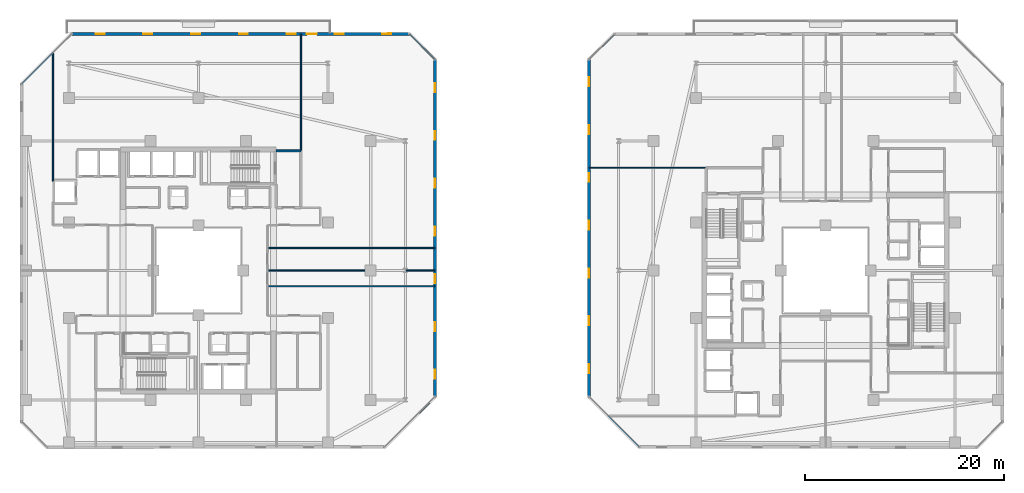
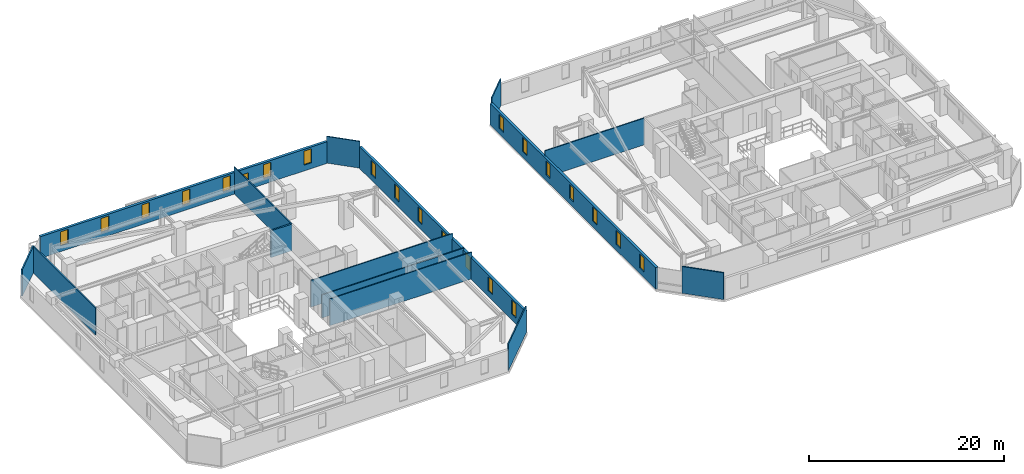
# One storey, part 22 of 33: 21 windows, 15 walls, 1 door, 22 openings.
"""IFC4 building model written with IfcOpenShell, lengths in metres."""

from ifc_helpers import new_model, si_unit, direction, frame, frame_2d, origin, place, context, subcontext, project, spatial, rectangle, extrude, material, layer, layer_set, type_object, element, fill, save


model = new_model("IFC4")

# Units and contexts
model_context = context("Model", 3, precision=1e-05, world=origin(), true_north=direction((0.0, 1.0)))
body_context = subcontext(model_context, "Body", "Model", "MODEL_VIEW")
ifc_project = project(units=[si_unit("LENGTHUNIT", "METRE"), si_unit("AREAUNIT", "SQUARE_METRE"), si_unit("VOLUMEUNIT", "CUBIC_METRE"), si_unit("PLANEANGLEUNIT", "RADIAN"), si_unit("MASSUNIT", "GRAM", prefix="KILO")], contexts=[model_context])

# Site, building, storey
site_placement = place(None, origin())
site = spatial("IfcSite", under=ifc_project, at=site_placement, CompositionType="ELEMENT")
building_placement = place(site_placement, origin())
building = spatial("IfcBuilding", under=site, at=building_placement, Name="Thornwick Lancets Civic Towers", CompositionType="ELEMENT")
storey_placement = place(building_placement, frame((0.0, 0.0, 189.300048828125)))
storey = spatial("IfcBuildingStorey", under=building, at=storey_placement, Name="L50", CompositionType="ELEMENT", Elevation=189.300048828125)

# Wall
ifc_material_1 = material(Name="Concrete blockwork C40/50", Category="masonry")
ifc_layer_1 = layer(ifc_material_1, 0.199951171875, Name="Concrete blockwork C40/50")
ifc_layer_set_1 = layer_set([ifc_layer_1], Name="Concrete blockwork C40/50")
wall_type_1 = type_object("IfcWallType", Name="WALL_COMP_200", PredefinedType="STANDARD", material=ifc_layer_set_1)
wall_1_placement = place(storey_placement, frame((35.800048828125, 39.0, 0.0), z_axis=(0.0, 0.0, 1.0), x_axis=(-1.0, 0.0, 0.0)))
element("IfcWall", 1, at=wall_1_placement, inside=storey, type_object=wall_type_1, Name="L50 Partition L50-A-FFLOB2 E3", PredefinedType="STANDARD", context=body_context, shape_type="SweptSolid", body=[
    extrude(rectangle(XDim=2.5, YDim=0.199951171875, at=frame_2d((1.25, 0.0))), origin(), (0.0, 0.0, 1.0), 3.33984375),
])

# Wall, openings, windows
ifc_material_2 = material(Name="Insulated russet terracotta rainscreen on concrete C40/50", Category="masonry")
ifc_layer_2 = layer(ifc_material_2, 0.300048828125, Name="Insulated russet terracotta rainscreen on concrete C40/50")
ifc_layer_set_2 = layer_set([ifc_layer_2], Name="Insulated russet terracotta rainscreen on concrete C40/50")
wall_type_2 = type_object("IfcWallType", Name="WALL_EXT_RUSSET_300", PredefinedType="STANDARD", material=ifc_layer_set_2)
wall_2_placement = place(storey_placement, frame((49.25634765625, 14.300537109375, 0.0), z_axis=(0.0, 0.0, 1.0), x_axis=(0.000244999128, 0.999999969988, 0.0)))
wall_2 = element("IfcWall", 2, at=wall_2_placement, inside=storey, type_object=wall_type_2, Name="L50 Tower A Terracotta Facade Wall E2", PredefinedType="STANDARD", context=body_context, shape_type="SweptSolid", body=[
    extrude(rectangle(XDim=33.880859375, YDim=0.300048828125, at=frame_2d((16.9404296875, 0.0))), origin(), (0.0, 0.0, 1.0), 2.699951171875),
])
opening_1_placement = place(wall_2_placement, frame((1.800048828125, 0.0, 0.719970703125)))
opening_1 = element("IfcOpeningElement", 3, at=opening_1_placement, cuts=wall_2, Name="Opening WL-01", PredefinedType="OPENING", context=body_context, shape_type="SweptSolid", body=[
    extrude(rectangle(XDim=0.89990234375, YDim=1.75, at=frame_2d((0.449951171875, 0.875))), frame((0.0, 0.16015625, 0.0), z_axis=(0.0, -1.0, 0.0), x_axis=(1.0, 0.0, 0.0)), (0.0, 0.0, 1.0), 0.320068359375),
])
opening_2_placement = place(wall_2_placement, frame((6.60009765625, 0.0, 0.719970703125)))
opening_2 = element("IfcOpeningElement", 4, at=opening_2_placement, cuts=wall_2, Name="Opening WL-01", PredefinedType="OPENING", context=body_context, shape_type="SweptSolid", body=[
    extrude(rectangle(XDim=0.89990234375, YDim=1.75, at=frame_2d((0.449951171875, 0.875))), frame((0.0, 0.16015625, 0.0), z_axis=(0.0, -1.0, 0.0), x_axis=(1.0, 0.0, 0.0)), (0.0, 0.0, 1.0), 0.320068359375),
])
opening_3_placement = place(wall_2_placement, frame((11.39990234375, 0.0, 0.719970703125)))
opening_3 = element("IfcOpeningElement", 5, at=opening_3_placement, cuts=wall_2, Name="Opening WL-01", PredefinedType="OPENING", context=body_context, shape_type="SweptSolid", body=[
    extrude(rectangle(XDim=0.89990234375, YDim=1.75, at=frame_2d((0.449951171875, 0.875))), frame((0.0, 0.16015625, 0.0), z_axis=(0.0, -1.0, 0.0), x_axis=(1.0, 0.0, 0.0)), (0.0, 0.0, 1.0), 0.320068359375),
])
opening_4_placement = place(wall_2_placement, frame((16.199951171875, 0.0, 0.719970703125)))
opening_4 = element("IfcOpeningElement", 6, at=opening_4_placement, cuts=wall_2, Name="Opening WL-01", PredefinedType="OPENING", context=body_context, shape_type="SweptSolid", body=[
    extrude(rectangle(XDim=0.89990234375, YDim=1.75, at=frame_2d((0.449951171875, 0.875))), frame((0.0, 0.16015625, 0.0), z_axis=(0.0, -1.0, 0.0), x_axis=(1.0, 0.0, 0.0)), (0.0, 0.0, 1.0), 0.320068359375),
])
opening_5_placement = place(wall_2_placement, frame((21.0, 0.0, 0.719970703125)))
opening_5 = element("IfcOpeningElement", 7, at=opening_5_placement, cuts=wall_2, Name="Opening WL-01", PredefinedType="OPENING", context=body_context, shape_type="SweptSolid", body=[
    extrude(rectangle(XDim=0.89990234375, YDim=1.75, at=frame_2d((0.449951171875, 0.875))), frame((0.0, 0.16015625, 0.0), z_axis=(0.0, -1.0, 0.0), x_axis=(1.0, 0.0, 0.0)), (0.0, 0.0, 1.0), 0.320068359375),
])
opening_6_placement = place(wall_2_placement, frame((25.800048828125, 0.0, 0.719970703125)))
opening_6 = element("IfcOpeningElement", 8, at=opening_6_placement, cuts=wall_2, Name="Opening WL-01", PredefinedType="OPENING", context=body_context, shape_type="SweptSolid", body=[
    extrude(rectangle(XDim=0.89990234375, YDim=1.75, at=frame_2d((0.449951171875, 0.875))), frame((0.0, 0.16015625, 0.0), z_axis=(0.0, -1.0, 0.0), x_axis=(1.0, 0.0, 0.0)), (0.0, 0.0, 1.0), 0.320068359375),
])
opening_7_placement = place(wall_2_placement, frame((30.60009765625, 0.0, 0.719970703125)))
opening_7 = element("IfcOpeningElement", 9, at=opening_7_placement, cuts=wall_2, Name="Opening WL-01", PredefinedType="OPENING", context=body_context, shape_type="SweptSolid", body=[
    extrude(rectangle(XDim=0.89990234375, YDim=1.75, at=frame_2d((0.449951171875, 0.875))), frame((0.0, 0.16015625, 0.0), z_axis=(0.0, -1.0, 0.0), x_axis=(1.0, 0.0, 0.0)), (0.0, 0.0, 1.0), 0.320068359375),
])
ifc_material_3 = material(Name="Clear low-e double glazing in bronze frame", Category="glass")
window_type = type_object("IfcWindowType", Name="WIN_LANCET_900", PartitioningType="SINGLE_PANEL", PredefinedType="WINDOW", material=ifc_material_3)
window_1_placement = place(opening_1_placement, origin())
window_1 = element("IfcWindow", 10, at=window_1_placement, inside=storey, type_object=window_type, Name="L50 Tower A Staggered Lancet Window E2-1", OverallHeight=1.75, OverallWidth=0.89990234375, PartitioningType="SINGLE_PANEL", PredefinedType="WINDOW", context=body_context, shape_type="SweptSolid", body=[
    extrude(rectangle(XDim=0.89990234375, YDim=1.75, at=frame_2d((0.449951171875, 0.875))), frame((0.0, 0.030029296875, 0.0), z_axis=(0.0, -1.0, 0.0), x_axis=(1.0, 0.0, 0.0)), (0.0, 0.0, 1.0), 0.06005859375),
])
fill(opening_1, window_1)
window_2_placement = place(opening_2_placement, origin())
window_2 = element("IfcWindow", 11, at=window_2_placement, inside=storey, type_object=window_type, Name="L50 Tower A Staggered Lancet Window E2-2", OverallHeight=1.75, OverallWidth=0.89990234375, PartitioningType="SINGLE_PANEL", PredefinedType="WINDOW", context=body_context, shape_type="SweptSolid", body=[
    extrude(rectangle(XDim=0.89990234375, YDim=1.75, at=frame_2d((0.449951171875, 0.875))), frame((0.0, 0.030029296875, 0.0), z_axis=(0.0, -1.0, 0.0), x_axis=(1.0, 0.0, 0.0)), (0.0, 0.0, 1.0), 0.06005859375),
])
fill(opening_2, window_2)
window_3_placement = place(opening_3_placement, origin())
window_3 = element("IfcWindow", 12, at=window_3_placement, inside=storey, type_object=window_type, Name="L50 Tower A Staggered Lancet Window E2-3", OverallHeight=1.75, OverallWidth=0.89990234375, PartitioningType="SINGLE_PANEL", PredefinedType="WINDOW", context=body_context, shape_type="SweptSolid", body=[
    extrude(rectangle(XDim=0.89990234375, YDim=1.75, at=frame_2d((0.449951171875, 0.875))), frame((0.0, 0.030029296875, 0.0), z_axis=(0.0, -1.0, 0.0), x_axis=(1.0, 0.0, 0.0)), (0.0, 0.0, 1.0), 0.06005859375),
])
fill(opening_3, window_3)
window_4_placement = place(opening_4_placement, origin())
window_4 = element("IfcWindow", 13, at=window_4_placement, inside=storey, type_object=window_type, Name="L50 Tower A Staggered Lancet Window E2-4", OverallHeight=1.75, OverallWidth=0.89990234375, PartitioningType="SINGLE_PANEL", PredefinedType="WINDOW", context=body_context, shape_type="SweptSolid", body=[
    extrude(rectangle(XDim=0.89990234375, YDim=1.75, at=frame_2d((0.449951171875, 0.875))), frame((0.0, 0.030029296875, 0.0), z_axis=(0.0, -1.0, 0.0), x_axis=(1.0, 0.0, 0.0)), (0.0, 0.0, 1.0), 0.06005859375),
])
fill(opening_4, window_4)
window_5_placement = place(opening_5_placement, origin())
window_5 = element("IfcWindow", 14, at=window_5_placement, inside=storey, type_object=window_type, Name="L50 Tower A Staggered Lancet Window E2-5", OverallHeight=1.75, OverallWidth=0.89990234375, PartitioningType="SINGLE_PANEL", PredefinedType="WINDOW", context=body_context, shape_type="SweptSolid", body=[
    extrude(rectangle(XDim=0.89990234375, YDim=1.75, at=frame_2d((0.449951171875, 0.875))), frame((0.0, 0.030029296875, 0.0), z_axis=(0.0, -1.0, 0.0), x_axis=(1.0, 0.0, 0.0)), (0.0, 0.0, 1.0), 0.06005859375),
])
fill(opening_5, window_5)
window_6_placement = place(opening_6_placement, origin())
window_6 = element("IfcWindow", 15, at=window_6_placement, inside=storey, type_object=window_type, Name="L50 Tower A Staggered Lancet Window E2-6", OverallHeight=1.75, OverallWidth=0.89990234375, PartitioningType="SINGLE_PANEL", PredefinedType="WINDOW", context=body_context, shape_type="SweptSolid", body=[
    extrude(rectangle(XDim=0.89990234375, YDim=1.75, at=frame_2d((0.449951171875, 0.875))), frame((0.0, 0.030029296875, 0.0), z_axis=(0.0, -1.0, 0.0), x_axis=(1.0, 0.0, 0.0)), (0.0, 0.0, 1.0), 0.06005859375),
])
fill(opening_6, window_6)
window_7_placement = place(opening_7_placement, origin())
window_7 = element("IfcWindow", 16, at=window_7_placement, inside=storey, type_object=window_type, Name="L50 Tower A Staggered Lancet Window E2-7", OverallHeight=1.75, OverallWidth=0.89990234375, PartitioningType="SINGLE_PANEL", PredefinedType="WINDOW", context=body_context, shape_type="SweptSolid", body=[
    extrude(rectangle(XDim=0.89990234375, YDim=1.75, at=frame_2d((0.449951171875, 0.875))), frame((0.0, 0.030029296875, 0.0), z_axis=(0.0, -1.0, 0.0), x_axis=(1.0, 0.0, 0.0)), (0.0, 0.0, 1.0), 0.06005859375),
])
fill(opening_7, window_7)

# Wall, openings, door, windows
wall_3_placement = place(storey_placement, frame((46.681396484375, 50.7646484375, 0.0), z_axis=(0.0, 0.0, 1.0), x_axis=(-0.999999969988, -0.000244999128, 0.0)))
wall_3 = element("IfcWall", 17, at=wall_3_placement, inside=storey, type_object=wall_type_2, Name="L50 Tower A Terracotta Facade Wall E4", PredefinedType="STANDARD", context=body_context, shape_type="SweptSolid", body=[
    extrude(rectangle(XDim=33.880859375, YDim=0.300048828125, at=frame_2d((16.9404296875, 0.0))), origin(), (0.0, 0.0, 1.0), 2.699951171875),
])
opening_8_placement = place(wall_3_placement, frame((9.290283203125, 0.0, 0.0)))
opening_8 = element("IfcOpeningElement", 18, at=opening_8_placement, cuts=wall_3, Name="Opening D-BL-L50-AN", PredefinedType="OPENING", context=body_context, shape_type="SweptSolid", body=[
    extrude(rectangle(XDim=1.0, YDim=2.080078125, at=frame_2d((0.5, 1.0400390625))), frame((0.0, 0.16015625, 0.0), z_axis=(0.0, -1.0, 0.0), x_axis=(1.0, 0.0, 0.0)), (0.0, 0.0, 1.0), 0.320068359375),
])
opening_9_placement = place(wall_3_placement, frame((1.800048828125, 0.0, 0.719970703125)))
opening_9 = element("IfcOpeningElement", 19, at=opening_9_placement, cuts=wall_3, Name="Opening WL-01", PredefinedType="OPENING", context=body_context, shape_type="SweptSolid", body=[
    extrude(rectangle(XDim=0.89990234375, YDim=1.75, at=frame_2d((0.449951171875, 0.875))), frame((0.0, 0.16015625, 0.0), z_axis=(0.0, -1.0, 0.0), x_axis=(1.0, 0.0, 0.0)), (0.0, 0.0, 1.0), 0.320068359375),
])
opening_10_placement = place(wall_3_placement, frame((6.60009765625, 0.0, 0.719970703125)))
opening_10 = element("IfcOpeningElement", 20, at=opening_10_placement, cuts=wall_3, Name="Opening WL-01", PredefinedType="OPENING", context=body_context, shape_type="SweptSolid", body=[
    extrude(rectangle(XDim=0.89990234375, YDim=1.75, at=frame_2d((0.449951171875, 0.875))), frame((0.0, 0.16015625, 0.0), z_axis=(0.0, -1.0, 0.0), x_axis=(1.0, 0.0, 0.0)), (0.0, 0.0, 1.0), 0.320068359375),
])
opening_11_placement = place(wall_3_placement, frame((11.39990234375, 0.0, 0.719970703125)))
opening_11 = element("IfcOpeningElement", 21, at=opening_11_placement, cuts=wall_3, Name="Opening WL-01", PredefinedType="OPENING", context=body_context, shape_type="SweptSolid", body=[
    extrude(rectangle(XDim=0.89990234375, YDim=1.75, at=frame_2d((0.449951171875, 0.875))), frame((0.0, 0.16015625, 0.0), z_axis=(0.0, -1.0, 0.0), x_axis=(1.0, 0.0, 0.0)), (0.0, 0.0, 1.0), 0.320068359375),
])
opening_12_placement = place(wall_3_placement, frame((16.199951171875, 0.0, 0.719970703125)))
opening_12 = element("IfcOpeningElement", 22, at=opening_12_placement, cuts=wall_3, Name="Opening WL-01", PredefinedType="OPENING", context=body_context, shape_type="SweptSolid", body=[
    extrude(rectangle(XDim=0.89990234375, YDim=1.75, at=frame_2d((0.449951171875, 0.875))), frame((0.0, 0.16015625, 0.0), z_axis=(0.0, -1.0, 0.0), x_axis=(1.0, 0.0, 0.0)), (0.0, 0.0, 1.0), 0.320068359375),
])
opening_13_placement = place(wall_3_placement, frame((21.0, 0.0, 0.719970703125)))
opening_13 = element("IfcOpeningElement", 23, at=opening_13_placement, cuts=wall_3, Name="Opening WL-01", PredefinedType="OPENING", context=body_context, shape_type="SweptSolid", body=[
    extrude(rectangle(XDim=0.89990234375, YDim=1.75, at=frame_2d((0.449951171875, 0.875))), frame((0.0, 0.16015625, 0.0), z_axis=(0.0, -1.0, 0.0), x_axis=(1.0, 0.0, 0.0)), (0.0, 0.0, 1.0), 0.320068359375),
])
opening_14_placement = place(wall_3_placement, frame((25.800048828125, 0.0, 0.719970703125)))
opening_14 = element("IfcOpeningElement", 24, at=opening_14_placement, cuts=wall_3, Name="Opening WL-01", PredefinedType="OPENING", context=body_context, shape_type="SweptSolid", body=[
    extrude(rectangle(XDim=0.89990234375, YDim=1.75, at=frame_2d((0.449951171875, 0.875))), frame((0.0, 0.16015625, 0.0), z_axis=(0.0, -1.0, 0.0), x_axis=(1.0, 0.0, 0.0)), (0.0, 0.0, 1.0), 0.320068359375),
])
opening_15_placement = place(wall_3_placement, frame((30.60009765625, 0.0, 0.719970703125)))
opening_15 = element("IfcOpeningElement", 25, at=opening_15_placement, cuts=wall_3, Name="Opening WL-01", PredefinedType="OPENING", context=body_context, shape_type="SweptSolid", body=[
    extrude(rectangle(XDim=0.89990234375, YDim=1.75, at=frame_2d((0.449951171875, 0.875))), frame((0.0, 0.16015625, 0.0), z_axis=(0.0, -1.0, 0.0), x_axis=(1.0, 0.0, 0.0)), (0.0, 0.0, 1.0), 0.320068359375),
])
ifc_material_4 = material(Name="Thermally broken glazed loggia doorset")
door_type = type_object("IfcDoorType", Name="DOOR_BALC_1000", OperationType="NOTDEFINED", PredefinedType="DOOR", material=ifc_material_4)
door_placement = place(opening_8_placement, origin())
door = element("IfcDoor", 26, at=door_placement, inside=storey, type_object=door_type, Name="L50 Tower A Loggia Balcony Door N", OperationType="SINGLE_SWING_LEFT", OverallHeight=2.080078125, OverallWidth=1.0, PredefinedType="DOOR", context=body_context, shape_type="SweptSolid", body=[
    extrude(rectangle(XDim=1.0, YDim=2.080078125, at=frame_2d((0.5, 1.0400390625))), frame((0.0, 0.02490234375, 0.0), z_axis=(0.0, -1.0, 0.0), x_axis=(1.0, 0.0, 0.0)), (0.0, 0.0, 1.0), 0.050048828125),
])
fill(opening_8, door)
window_8_placement = place(opening_9_placement, origin())
window_8 = element("IfcWindow", 27, at=window_8_placement, inside=storey, type_object=window_type, Name="L50 Tower A Staggered Lancet Window E4-1", OverallHeight=1.75, OverallWidth=0.89990234375, PartitioningType="SINGLE_PANEL", PredefinedType="WINDOW", context=body_context, shape_type="SweptSolid", body=[
    extrude(rectangle(XDim=0.89990234375, YDim=1.75, at=frame_2d((0.449951171875, 0.875))), frame((0.0, 0.030029296875, 0.0), z_axis=(0.0, -1.0, 0.0), x_axis=(1.0, 0.0, 0.0)), (0.0, 0.0, 1.0), 0.06005859375),
])
fill(opening_9, window_8)
window_9_placement = place(opening_10_placement, origin())
window_9 = element("IfcWindow", 28, at=window_9_placement, inside=storey, type_object=window_type, Name="L50 Tower A Staggered Lancet Window E4-2", OverallHeight=1.75, OverallWidth=0.89990234375, PartitioningType="SINGLE_PANEL", PredefinedType="WINDOW", context=body_context, shape_type="SweptSolid", body=[
    extrude(rectangle(XDim=0.89990234375, YDim=1.75, at=frame_2d((0.449951171875, 0.875))), frame((0.0, 0.030029296875, 0.0), z_axis=(0.0, -1.0, 0.0), x_axis=(1.0, 0.0, 0.0)), (0.0, 0.0, 1.0), 0.06005859375),
])
fill(opening_10, window_9)
window_10_placement = place(opening_11_placement, origin())
window_10 = element("IfcWindow", 29, at=window_10_placement, inside=storey, type_object=window_type, Name="L50 Tower A Staggered Lancet Window E4-3", OverallHeight=1.75, OverallWidth=0.89990234375, PartitioningType="SINGLE_PANEL", PredefinedType="WINDOW", context=body_context, shape_type="SweptSolid", body=[
    extrude(rectangle(XDim=0.89990234375, YDim=1.75, at=frame_2d((0.449951171875, 0.875))), frame((0.0, 0.030029296875, 0.0), z_axis=(0.0, -1.0, 0.0), x_axis=(1.0, 0.0, 0.0)), (0.0, 0.0, 1.0), 0.06005859375),
])
fill(opening_11, window_10)
window_11_placement = place(opening_12_placement, origin())
window_11 = element("IfcWindow", 30, at=window_11_placement, inside=storey, type_object=window_type, Name="L50 Tower A Staggered Lancet Window E4-4", OverallHeight=1.75, OverallWidth=0.89990234375, PartitioningType="SINGLE_PANEL", PredefinedType="WINDOW", context=body_context, shape_type="SweptSolid", body=[
    extrude(rectangle(XDim=0.89990234375, YDim=1.75, at=frame_2d((0.449951171875, 0.875))), frame((0.0, 0.030029296875, 0.0), z_axis=(0.0, -1.0, 0.0), x_axis=(1.0, 0.0, 0.0)), (0.0, 0.0, 1.0), 0.06005859375),
])
fill(opening_12, window_11)
window_12_placement = place(opening_13_placement, origin())
window_12 = element("IfcWindow", 31, at=window_12_placement, inside=storey, type_object=window_type, Name="L50 Tower A Staggered Lancet Window E4-5", OverallHeight=1.75, OverallWidth=0.89990234375, PartitioningType="SINGLE_PANEL", PredefinedType="WINDOW", context=body_context, shape_type="SweptSolid", body=[
    extrude(rectangle(XDim=0.89990234375, YDim=1.75, at=frame_2d((0.449951171875, 0.875))), frame((0.0, 0.030029296875, 0.0), z_axis=(0.0, -1.0, 0.0), x_axis=(1.0, 0.0, 0.0)), (0.0, 0.0, 1.0), 0.06005859375),
])
fill(opening_13, window_12)
window_13_placement = place(opening_14_placement, origin())
window_13 = element("IfcWindow", 32, at=window_13_placement, inside=storey, type_object=window_type, Name="L50 Tower A Staggered Lancet Window E4-6", OverallHeight=1.75, OverallWidth=0.89990234375, PartitioningType="SINGLE_PANEL", PredefinedType="WINDOW", context=body_context, shape_type="SweptSolid", body=[
    extrude(rectangle(XDim=0.89990234375, YDim=1.75, at=frame_2d((0.449951171875, 0.875))), frame((0.0, 0.030029296875, 0.0), z_axis=(0.0, -1.0, 0.0), x_axis=(1.0, 0.0, 0.0)), (0.0, 0.0, 1.0), 0.06005859375),
])
fill(opening_14, window_13)
window_14_placement = place(opening_15_placement, origin())
window_14 = element("IfcWindow", 33, at=window_14_placement, inside=storey, type_object=window_type, Name="L50 Tower A Staggered Lancet Window E4-7", OverallHeight=1.75, OverallWidth=0.89990234375, PartitioningType="SINGLE_PANEL", PredefinedType="WINDOW", context=body_context, shape_type="SweptSolid", body=[
    extrude(rectangle(XDim=0.89990234375, YDim=1.75, at=frame_2d((0.449951171875, 0.875))), frame((0.0, 0.030029296875, 0.0), z_axis=(0.0, -1.0, 0.0), x_axis=(1.0, 0.0, 0.0)), (0.0, 0.0, 1.0), 0.06005859375),
])
fill(opening_15, window_14)

# Wall, openings, windows
wall_4_placement = place(storey_placement, frame((64.7353515625, 48.181396484375, 0.0), z_axis=(0.0, 0.0, 1.0), x_axis=(0.000244999128, -0.999999969988, 0.0)))
wall_4 = element("IfcWall", 34, at=wall_4_placement, inside=storey, type_object=wall_type_2, Name="L50 Tower B Terracotta Facade Wall E6", PredefinedType="STANDARD", context=body_context, shape_type="SweptSolid", body=[
    extrude(rectangle(XDim=33.880859375, YDim=0.300048828125, at=frame_2d((16.9404296875, 0.0))), origin(), (0.0, 0.0, 1.0), 2.699951171875),
])
opening_16_placement = place(wall_4_placement, frame((1.800048828125, 0.0, 0.719970703125)))
opening_16 = element("IfcOpeningElement", 35, at=opening_16_placement, cuts=wall_4, Name="Opening WL-01", PredefinedType="OPENING", context=body_context, shape_type="SweptSolid", body=[
    extrude(rectangle(XDim=0.89990234375, YDim=1.75, at=frame_2d((0.449951171875, 0.875))), frame((0.0, 0.16015625, 0.0), z_axis=(0.0, -1.0, 0.0), x_axis=(1.0, 0.0, 0.0)), (0.0, 0.0, 1.0), 0.320068359375),
])
opening_17_placement = place(wall_4_placement, frame((6.60009765625, 0.0, 0.719970703125)))
opening_17 = element("IfcOpeningElement", 36, at=opening_17_placement, cuts=wall_4, Name="Opening WL-01", PredefinedType="OPENING", context=body_context, shape_type="SweptSolid", body=[
    extrude(rectangle(XDim=0.89990234375, YDim=1.75, at=frame_2d((0.449951171875, 0.875))), frame((0.0, 0.16015625, 0.0), z_axis=(0.0, -1.0, 0.0), x_axis=(1.0, 0.0, 0.0)), (0.0, 0.0, 1.0), 0.320068359375),
])
opening_18_placement = place(wall_4_placement, frame((11.39990234375, 0.0, 0.719970703125)))
opening_18 = element("IfcOpeningElement", 37, at=opening_18_placement, cuts=wall_4, Name="Opening WL-01", PredefinedType="OPENING", context=body_context, shape_type="SweptSolid", body=[
    extrude(rectangle(XDim=0.89990234375, YDim=1.75, at=frame_2d((0.449951171875, 0.875))), frame((0.0, 0.16015625, 0.0), z_axis=(0.0, -1.0, 0.0), x_axis=(1.0, 0.0, 0.0)), (0.0, 0.0, 1.0), 0.320068359375),
])
opening_19_placement = place(wall_4_placement, frame((16.199951171875, 0.0, 0.719970703125)))
opening_19 = element("IfcOpeningElement", 38, at=opening_19_placement, cuts=wall_4, Name="Opening WL-01", PredefinedType="OPENING", context=body_context, shape_type="SweptSolid", body=[
    extrude(rectangle(XDim=0.89990234375, YDim=1.75, at=frame_2d((0.449951171875, 0.875))), frame((0.0, 0.16015625, 0.0), z_axis=(0.0, -1.0, 0.0), x_axis=(1.0, 0.0, 0.0)), (0.0, 0.0, 1.0), 0.320068359375),
])
opening_20_placement = place(wall_4_placement, frame((21.0, 0.0, 0.719970703125)))
opening_20 = element("IfcOpeningElement", 39, at=opening_20_placement, cuts=wall_4, Name="Opening WL-01", PredefinedType="OPENING", context=body_context, shape_type="SweptSolid", body=[
    extrude(rectangle(XDim=0.89990234375, YDim=1.75, at=frame_2d((0.449951171875, 0.875))), frame((0.0, 0.16015625, 0.0), z_axis=(0.0, -1.0, 0.0), x_axis=(1.0, 0.0, 0.0)), (0.0, 0.0, 1.0), 0.320068359375),
])
opening_21_placement = place(wall_4_placement, frame((25.800048828125, 0.0, 0.719970703125)))
opening_21 = element("IfcOpeningElement", 40, at=opening_21_placement, cuts=wall_4, Name="Opening WL-01", PredefinedType="OPENING", context=body_context, shape_type="SweptSolid", body=[
    extrude(rectangle(XDim=0.89990234375, YDim=1.75, at=frame_2d((0.449951171875, 0.875))), frame((0.0, 0.16015625, 0.0), z_axis=(0.0, -1.0, 0.0), x_axis=(1.0, 0.0, 0.0)), (0.0, 0.0, 1.0), 0.320068359375),
])
opening_22_placement = place(wall_4_placement, frame((30.60009765625, 0.0, 0.719970703125)))
opening_22 = element("IfcOpeningElement", 41, at=opening_22_placement, cuts=wall_4, Name="Opening WL-01", PredefinedType="OPENING", context=body_context, shape_type="SweptSolid", body=[
    extrude(rectangle(XDim=0.89990234375, YDim=1.75, at=frame_2d((0.449951171875, 0.875))), frame((0.0, 0.16015625, 0.0), z_axis=(0.0, -1.0, 0.0), x_axis=(1.0, 0.0, 0.0)), (0.0, 0.0, 1.0), 0.320068359375),
])
window_15_placement = place(opening_16_placement, origin())
window_15 = element("IfcWindow", 42, at=window_15_placement, inside=storey, type_object=window_type, Name="L50 Tower B Staggered Lancet Window E6-1", OverallHeight=1.75, OverallWidth=0.89990234375, PartitioningType="SINGLE_PANEL", PredefinedType="WINDOW", context=body_context, shape_type="SweptSolid", body=[
    extrude(rectangle(XDim=0.89990234375, YDim=1.75, at=frame_2d((0.449951171875, 0.875))), frame((0.0, 0.030029296875, 0.0), z_axis=(0.0, -1.0, 0.0), x_axis=(1.0, 0.0, 0.0)), (0.0, 0.0, 1.0), 0.06005859375),
])
fill(opening_16, window_15)
window_16_placement = place(opening_17_placement, origin())
window_16 = element("IfcWindow", 43, at=window_16_placement, inside=storey, type_object=window_type, Name="L50 Tower B Staggered Lancet Window E6-2", OverallHeight=1.75, OverallWidth=0.89990234375, PartitioningType="SINGLE_PANEL", PredefinedType="WINDOW", context=body_context, shape_type="SweptSolid", body=[
    extrude(rectangle(XDim=0.89990234375, YDim=1.75, at=frame_2d((0.449951171875, 0.875))), frame((0.0, 0.030029296875, 0.0), z_axis=(0.0, -1.0, 0.0), x_axis=(1.0, 0.0, 0.0)), (0.0, 0.0, 1.0), 0.06005859375),
])
fill(opening_17, window_16)
window_17_placement = place(opening_18_placement, origin())
window_17 = element("IfcWindow", 44, at=window_17_placement, inside=storey, type_object=window_type, Name="L50 Tower B Staggered Lancet Window E6-3", OverallHeight=1.75, OverallWidth=0.89990234375, PartitioningType="SINGLE_PANEL", PredefinedType="WINDOW", context=body_context, shape_type="SweptSolid", body=[
    extrude(rectangle(XDim=0.89990234375, YDim=1.75, at=frame_2d((0.449951171875, 0.875))), frame((0.0, 0.030029296875, 0.0), z_axis=(0.0, -1.0, 0.0), x_axis=(1.0, 0.0, 0.0)), (0.0, 0.0, 1.0), 0.06005859375),
])
fill(opening_18, window_17)
window_18_placement = place(opening_19_placement, origin())
window_18 = element("IfcWindow", 45, at=window_18_placement, inside=storey, type_object=window_type, Name="L50 Tower B Staggered Lancet Window E6-4", OverallHeight=1.75, OverallWidth=0.89990234375, PartitioningType="SINGLE_PANEL", PredefinedType="WINDOW", context=body_context, shape_type="SweptSolid", body=[
    extrude(rectangle(XDim=0.89990234375, YDim=1.75, at=frame_2d((0.449951171875, 0.875))), frame((0.0, 0.030029296875, 0.0), z_axis=(0.0, -1.0, 0.0), x_axis=(1.0, 0.0, 0.0)), (0.0, 0.0, 1.0), 0.06005859375),
])
fill(opening_19, window_18)
window_19_placement = place(opening_20_placement, origin())
window_19 = element("IfcWindow", 46, at=window_19_placement, inside=storey, type_object=window_type, Name="L50 Tower B Staggered Lancet Window E6-5", OverallHeight=1.75, OverallWidth=0.89990234375, PartitioningType="SINGLE_PANEL", PredefinedType="WINDOW", context=body_context, shape_type="SweptSolid", body=[
    extrude(rectangle(XDim=0.89990234375, YDim=1.75, at=frame_2d((0.449951171875, 0.875))), frame((0.0, 0.030029296875, 0.0), z_axis=(0.0, -1.0, 0.0), x_axis=(1.0, 0.0, 0.0)), (0.0, 0.0, 1.0), 0.06005859375),
])
fill(opening_20, window_19)
window_20_placement = place(opening_21_placement, origin())
window_20 = element("IfcWindow", 47, at=window_20_placement, inside=storey, type_object=window_type, Name="L50 Tower B Staggered Lancet Window E6-6", OverallHeight=1.75, OverallWidth=0.89990234375, PartitioningType="SINGLE_PANEL", PredefinedType="WINDOW", context=body_context, shape_type="SweptSolid", body=[
    extrude(rectangle(XDim=0.89990234375, YDim=1.75, at=frame_2d((0.449951171875, 0.875))), frame((0.0, 0.030029296875, 0.0), z_axis=(0.0, -1.0, 0.0), x_axis=(1.0, 0.0, 0.0)), (0.0, 0.0, 1.0), 0.06005859375),
])
fill(opening_21, window_20)
window_21_placement = place(opening_22_placement, origin())
window_21 = element("IfcWindow", 48, at=window_21_placement, inside=storey, type_object=window_type, Name="L50 Tower B Staggered Lancet Window E6-7", OverallHeight=1.75, OverallWidth=0.89990234375, PartitioningType="SINGLE_PANEL", PredefinedType="WINDOW", context=body_context, shape_type="SweptSolid", body=[
    extrude(rectangle(XDim=0.89990234375, YDim=1.75, at=frame_2d((0.449951171875, 0.875))), frame((0.0, 0.030029296875, 0.0), z_axis=(0.0, -1.0, 0.0), x_axis=(1.0, 0.0, 0.0)), (0.0, 0.0, 1.0), 0.06005859375),
])
fill(opening_22, window_21)

# Walls
ifc_material_5 = material(Name="Acoustic gypsum board partition")
ifc_layer_3 = layer(ifc_material_5, 0.1201171875, Name="Acoustic gypsum board partition")
ifc_layer_set_3 = layer_set([ifc_layer_3], Name="Acoustic gypsum board partition")
wall_type_3 = type_object("IfcWallType", Name="WALL_PART_120", PredefinedType="PARTITIONING", material=ifc_layer_set_3)
wall_5_placement = place(storey_placement, frame((32.449951171875, 25.39990234375, 0.0), z_axis=(0.0, 0.0, 1.0), x_axis=(1.0, 0.0, 0.0)))
element("IfcWall", 49, at=wall_5_placement, inside=storey, type_object=wall_type_3, Name="L50 Partition L50-A-E1 E7", PredefinedType="PARTITIONING", context=body_context, shape_type="SweptSolid", body=[
    extrude(rectangle(XDim=16.77001953125, YDim=0.1201171875, at=frame_2d((8.385009765625, 0.0))), origin(), (0.0, 0.0, 1.0), 3.33984375),
])
wall_6_placement = place(storey_placement, frame((49.219970703125, 14.2666015625, 0.0), z_axis=(0.0, 0.0, 1.0), x_axis=(-0.707106781187, -0.707106781187, 0.0)))
element("IfcWall", 50, at=wall_6_placement, inside=storey, type_object=wall_type_3, Name="L50 Partition L50-A-E1 E9", PredefinedType="PARTITIONING", context=body_context, shape_type="SweptSolid", body=[
    extrude(rectangle(XDim=7.052001953125, YDim=0.1201171875, at=frame_2d((3.52587890625, 0.0))), origin(), (0.0, 0.0, 1.0), 3.33984375),
])
wall_7_placement = place(storey_placement, frame((32.449951171875, 27.0, 0.0), z_axis=(0.0, 0.0, 1.0), x_axis=(1.0, 0.0, 0.0)))
element("IfcWall", 51, at=wall_7_placement, inside=storey, type_object=wall_type_3, Name="L50 Partition L50-A-E2 E2", PredefinedType="PARTITIONING", context=body_context, shape_type="SweptSolid", body=[
    extrude(rectangle(XDim=16.77001953125, YDim=0.1201171875, at=frame_2d((8.385009765625, 0.0))), origin(), (0.0, 0.0, 1.0), 2.877685546875),
])
wall_8_placement = place(storey_placement, frame((32.449951171875, 29.25, 0.0), z_axis=(0.0, 0.0, 1.0), x_axis=(1.0, 0.0, 0.0)))
element("IfcWall", 52, at=wall_8_placement, inside=storey, type_object=wall_type_3, Name="L50 Partition L50-A-E3 E2", PredefinedType="PARTITIONING", context=body_context, shape_type="SweptSolid", body=[
    extrude(rectangle(XDim=16.77001953125, YDim=0.1201171875, at=frame_2d((8.385009765625, 0.0))), origin(), (0.0, 0.0, 1.0), 3.33984375),
])
wall_9_placement = place(storey_placement, frame((35.800048828125, 39.0, 0.0), z_axis=(0.0, 0.0, 1.0), x_axis=(0.0, 1.0, 0.0)))
element("IfcWall", 53, at=wall_9_placement, inside=storey, type_object=wall_type_3, Name="L50 Partition L50-A-E4 E6", PredefinedType="PARTITIONING", context=body_context, shape_type="SweptSolid", body=[
    extrude(rectangle(XDim=11.719970703125, YDim=0.1201171875, at=frame_2d((5.85986328125, 0.0))), origin(), (0.0, 0.0, 1.0), 3.33984375),
])
wall_10_placement = place(storey_placement, frame((46.725341796875, 50.719970703125, 0.0), z_axis=(0.0, 0.0, 1.0), x_axis=(0.707106781187, -0.707106781187, 0.0)))
element("IfcWall", 54, at=wall_10_placement, inside=storey, type_object=wall_type_3, Name="L50 Partition L50-A-E4 E8", PredefinedType="PARTITIONING", context=body_context, shape_type="SweptSolid", body=[
    extrude(rectangle(XDim=3.52783203125, YDim=0.1201171875, at=frame_2d((1.763916015625, 0.0))), origin(), (0.0, 0.0, 1.0), 3.33984375),
])
wall_11_placement = place(storey_placement, frame((76.5, 37.300048828125, 0.0), z_axis=(0.0, 0.0, 1.0), x_axis=(-1.0, 0.0, 0.0)))
element("IfcWall", 55, at=wall_11_placement, inside=storey, type_object=wall_type_3, Name="L50 Partition L50-B-E4 E6", PredefinedType="PARTITIONING", context=body_context, shape_type="SweptSolid", body=[
    extrude(rectangle(XDim=11.719970703125, YDim=0.1201171875, at=frame_2d((5.85986328125, 0.0))), origin(), (0.0, 0.0, 1.0), 3.33984375),
])
wall_12_placement = place(storey_placement, frame((64.780029296875, 48.225341796875, 0.0), z_axis=(0.0, 0.0, 1.0), x_axis=(0.707106781187, 0.707106781187, 0.0)))
element("IfcWall", 56, at=wall_12_placement, inside=storey, type_object=wall_type_3, Name="L50 Partition L50-B-E4 E8", PredefinedType="PARTITIONING", context=body_context, shape_type="SweptSolid", body=[
    extrude(rectangle(XDim=3.52783203125, YDim=0.1201171875, at=frame_2d((1.763916015625, 0.0))), origin(), (0.0, 0.0, 1.0), 3.33984375),
])
ifc_material_6 = material(Name="Twin-stud acoustic gypsum board")
ifc_layer_4 = layer(ifc_material_6, 0.14990234375, Name="Twin-stud acoustic gypsum board")
ifc_layer_set_4 = layer_set([ifc_layer_4], Name="Twin-stud acoustic gypsum board")
wall_type_4 = type_object("IfcWallType", Name="WALL_PART_150", PredefinedType="PARTITIONING", material=ifc_layer_set_4)
wall_13_placement = place(storey_placement, frame((7.780029296875, 45.7333984375, 0.0), z_axis=(0.0, 0.0, 1.0), x_axis=(0.707079114978, 0.707134446312, 0.0)))
element("IfcWall", 57, at=wall_13_placement, inside=storey, type_object=wall_type_4, Name="L50 Partition L50-A-W2 E5", PredefinedType="PARTITIONING", context=body_context, shape_type="SweptSolid", body=[
    extrude(rectangle(XDim=4.412353515625, YDim=0.14990234375, at=frame_2d((2.2060546875, 0.0))), origin(), (0.0, 0.0, 1.0), 3.33984375),
])
wall_14_placement = place(storey_placement, frame((10.89990234375, 48.853515625, 0.0), z_axis=(0.0, 0.0, 1.0), x_axis=(0.0, -1.0, 0.0)))
element("IfcWall", 58, at=wall_14_placement, inside=storey, type_object=wall_type_4, Name="L50 Partition L50-A-W2 E6", PredefinedType="PARTITIONING", context=body_context, shape_type="SweptSolid", body=[
    extrude(rectangle(XDim=12.91552734375, YDim=0.14990234375, at=frame_2d((6.457763671875, 0.0))), origin(), (0.0, 0.0, 1.0), 3.33984375),
])
wall_15_placement = place(storey_placement, frame((69.7666015625, 9.280029296875, 0.0), z_axis=(0.0, 0.0, 1.0), x_axis=(-0.707134446312, 0.707079114978, 0.0)))
element("IfcWall", 59, at=wall_15_placement, inside=storey, type_object=wall_type_4, Name="L50 Partition L50-B-W2 E5", PredefinedType="PARTITIONING", context=body_context, shape_type="SweptSolid", body=[
    extrude(rectangle(XDim=4.412353515625, YDim=0.14990234375, at=frame_2d((2.2060546875, 0.0))), origin(), (0.0, 0.0, 1.0), 3.33984375),
])

save(model, "model.ifc")
